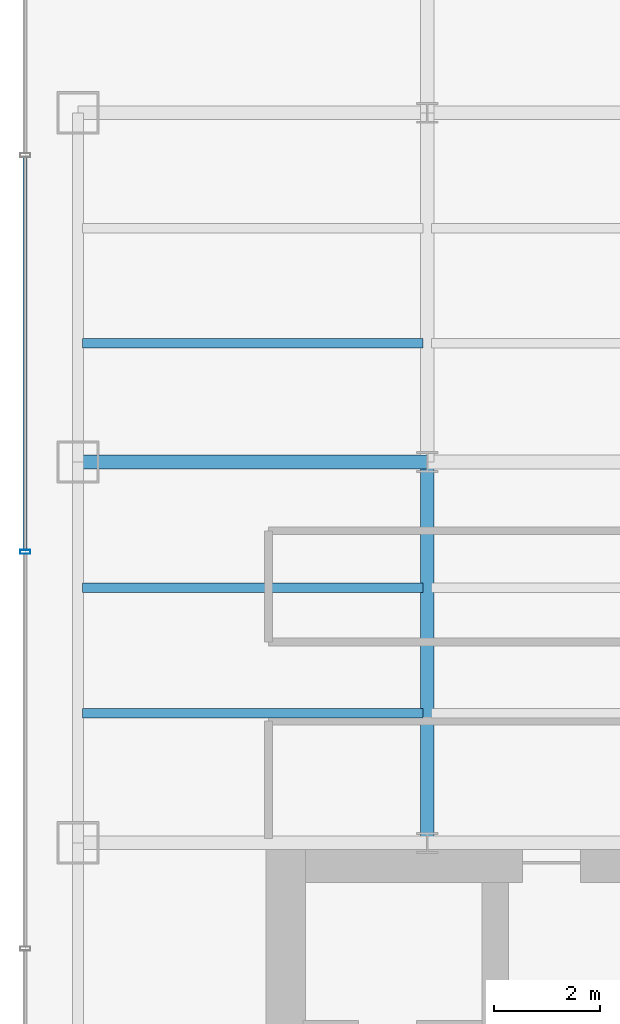
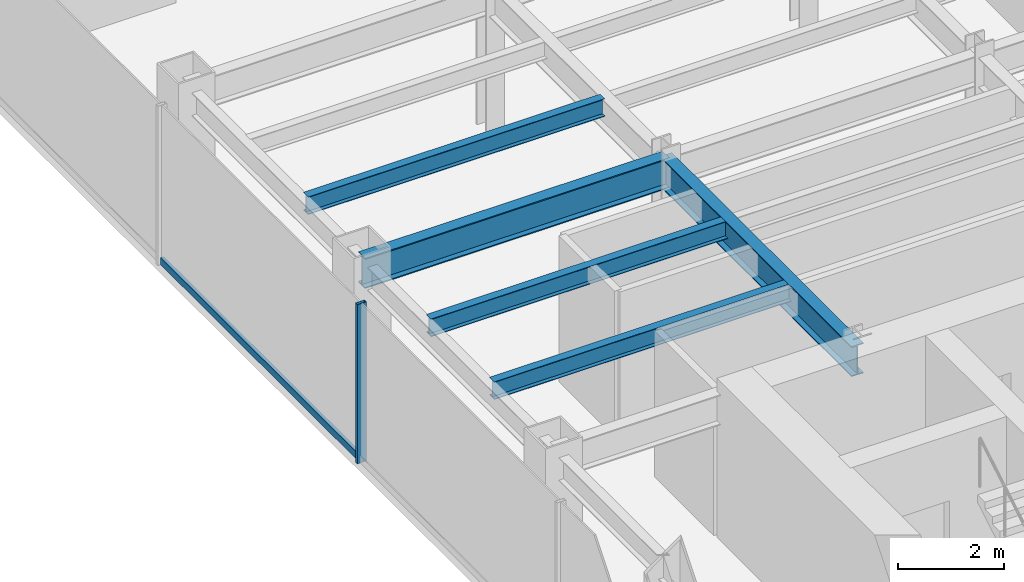
# One storey, part 4 of 26: 5 beams, 2 members, 1 element without a shape of its own.
"""IFC4 building model written with IfcOpenShell, lengths in metres."""

from ifc_helpers import new_model, si_unit, derived_unit, direction, frame, origin, origin_2d, place, context, subcontext, project, spatial, hollow_rectangle, i_section, extrude, source, transform, mapped, material, material_profile, profile_set, type_object, element, aggregate, save


model = new_model("IFC4")

# Units and contexts
model_context = context("Model", 3, precision=1e-05, world=origin(), true_north=direction((0.0, 1.0)))
body_context = subcontext(model_context, "Body", "Model", "MODEL_VIEW")
ifc_project = project(units=[si_unit("LENGTHUNIT", "METRE"), si_unit("AREAUNIT", "SQUARE_METRE"), si_unit("VOLUMEUNIT", "CUBIC_METRE"), si_unit("PLANEANGLEUNIT", "RADIAN"), si_unit("MASSUNIT", "GRAM", prefix="KILO"), derived_unit("THERMALTRANSMITTANCEUNIT", [(si_unit("POWERUNIT", "WATT"), 1), (si_unit("LENGTHUNIT", "METRE"), -2), (si_unit("THERMODYNAMICTEMPERATUREUNIT", "KELVIN"), -1)])], contexts=[model_context])

# Site, building, storey
site_placement = place(None, origin())
site = spatial("IfcSite", under=ifc_project, at=site_placement, CompositionType="ELEMENT")
building_placement = place(site_placement, origin())
building = spatial("IfcBuilding", under=site, at=building_placement, Name="Skarnbrae Concourse Arena and Tower", CompositionType="ELEMENT")
storey_placement = place(building_placement, frame((0.0, 0.0, 132.449951171875)))
storey = spatial("IfcBuildingStorey", under=building, at=storey_placement, Name="L33", CompositionType="ELEMENT", Elevation=132.449951171875)

# Beams
ifc_material_1 = material(Name="Steel CSA G40.21 350W", Category="steel")
ifc_material_profile_1 = material_profile(ifc_material_1, i_section(OverallWidth=0.256103515625, OverallDepth=0.693115234375, WebThickness=0.014404296875, FlangeThickness=0.023681640625, at=origin_2d()), Name="W690X170")
ifc_profile_set_1 = profile_set([ifc_material_profile_1], Name="Steel CSA G40.21 350W")
beam_type_1 = type_object("IfcBeamType", Name="BM-GIRD-W690X170", PredefinedType="BEAM", material=ifc_profile_set_1)
shared_shape_1 = source(origin(), body_context, "Body", "SweptSolid", [
    extrude(i_section(OverallWidth=0.256103515625, OverallDepth=0.693115234375, WebThickness=0.014404296875, FlangeThickness=0.023681640625, at=origin_2d()), origin(), (0.0, 0.0, 1.0), 6.60009765625),
])
beam_1_placement = place(storey_placement, frame((1.0, 21.199951171875, 3.003662109375), z_axis=(1.0, 0.0, 0.0), x_axis=(0.0, 1.0, 0.0)))
element("IfcBeam", 1, at=beam_1_placement, inside=storey, type_object=beam_type_1, Name="L33 Primary E-W girder Y21.2-1", PredefinedType="BEAM", context=body_context, shape_type="MappedRepresentation", body=[
    mapped(shared_shape_1, transform((0.0, 0.0, 0.0))),
])
shared_shape_2 = source(origin(), body_context, "Body", "SweptSolid", [
    extrude(i_section(OverallWidth=0.256103515625, OverallDepth=0.693115234375, WebThickness=0.014404296875, FlangeThickness=0.023681640625, at=origin_2d()), origin(), (0.0, 0.0, 1.0), 7.199951171875),
])
beam_2_placement = place(storey_placement, frame((7.60009765625, 14.0, 3.003662109375), z_axis=(0.0, 1.0, 0.0), x_axis=(-1.0, 0.0, 0.0)))
element("IfcBeam", 2, at=beam_2_placement, inside=storey, type_object=beam_type_1, Name="L33 Primary N-S girder X7.6-1", PredefinedType="BEAM", context=body_context, shape_type="MappedRepresentation", body=[
    mapped(shared_shape_2, transform((0.0, 0.0, 0.0))),
])
ifc_material_profile_2 = material_profile(ifc_material_1, i_section(OverallWidth=0.177978515625, OverallDepth=0.406982421875, WebThickness=0.0078125, FlangeThickness=0.0126953125, at=origin_2d()), Name="W410X60")
ifc_profile_set_2 = profile_set([ifc_material_profile_2], Name="Steel CSA G40.21 350W")
beam_type_2 = type_object("IfcBeamType", Name="BM-JOIST-W410X60", PredefinedType="JOIST", material=ifc_profile_set_2)
shared_shape_3 = source(origin(), body_context, "Body", "SweptSolid", [
    extrude(i_section(OverallWidth=0.177978515625, OverallDepth=0.406982421875, WebThickness=0.0078125, FlangeThickness=0.0126953125, at=origin_2d()), origin(), (0.0, 0.0, 1.0), 6.43994140625),
])
for number, where, z_axis, x_axis, name in (
    (3, (1.080078125, 16.447998046875, 3.146484375), (1.0, 0.0, 0.0), (0.0, 1.0, 0.0), "L33 Secondary floor joist 1.1.1"),
    (4, (1.080078125, 18.823974609375, 3.146484375), (1.0, 0.0, 0.0), (0.0, 1.0, 0.0), "L33 Secondary floor joist 1.2.1"),
    (5, (1.080078125, 23.444091796875, 3.146484375), (1.0, 0.0, 0.0), (0.0, 1.0, 0.0), "L33 Secondary floor joist 2.1.1"),
):
    element("IfcBeam", number, at=place(storey_placement, frame(where, z_axis=z_axis, x_axis=x_axis)), inside=storey, type_object=beam_type_2, Name=name, PredefinedType="JOIST", context=body_context, shape_type="MappedRepresentation", body=[
        mapped(shared_shape_3, transform((0.0, 0.0, 0.0))),
    ])

# Curtain wall, members
ifc_material_2 = material(Name="Bronze anodised aluminium 6063-T6", Category="aluminium")
curtain_wall_type = type_object("IfcCurtainWallType", Name="CW-SYS-04-MIDZONE", PredefinedType="USERDEFINED", material=ifc_material_2)
curtain_wall_placement = place(storey_placement, origin())
curtain_wall = element("IfcCurtainWall", 6, at=curtain_wall_placement, inside=storey, type_object=curtain_wall_type, Name="L33 Unitised curtain wall CW-L33-E19", ObjectType="UNITISED CURTAIN WALL", PredefinedType="USERDEFINED")
ifc_material_profile_3 = material_profile(ifc_material_2, hollow_rectangle(XDim=0.074951171875, YDim=0.195068359375, WallThickness=0.00439453125, at=origin_2d()), Name="ALU-MULL-75X195")
ifc_profile_set_3 = profile_set([ifc_material_profile_3], Name="Bronze anodised aluminium 6063-T6")
member_type_1 = type_object("IfcMemberType", Name="CWM-CW-04", PredefinedType="MULLION", material=ifc_profile_set_3)
shared_shape_4 = source(origin(), body_context, "Body", "SweptSolid", [
    extrude(hollow_rectangle(XDim=0.074951171875, YDim=0.195068359375, WallThickness=0.00439453125, at=origin_2d()), origin(), (0.0, 0.0, 1.0), 3.650146484375),
])
member_1_placement = place(storey_placement, frame((0.0, 19.5, 0.0), z_axis=(0.0, 0.0, 1.0), x_axis=(0.0, -1.0, 0.0)))
member_1 = element("IfcMember", 7, at=member_1_placement, type_object=member_type_1, Name="CW-L33-E19 Mullion 3", PredefinedType="MULLION", context=body_context, shape_type="MappedRepresentation", body=[
    mapped(shared_shape_4, transform((0.0, 0.0, 0.0))),
])
ifc_material_profile_4 = material_profile(ifc_material_2, hollow_rectangle(XDim=0.074951171875, YDim=0.159912109375, WallThickness=0.00439453125, at=origin_2d()), Name="ALU-TRAN-75X160")
ifc_profile_set_4 = profile_set([ifc_material_profile_4], Name="Bronze anodised aluminium 6063-T6")
member_type_2 = type_object("IfcMemberType", Name="CWT-CW-04", PredefinedType="USERDEFINED", material=ifc_profile_set_4)
shared_shape_5 = source(origin(), body_context, "Body", "SweptSolid", [
    extrude(hollow_rectangle(XDim=0.074951171875, YDim=0.159912109375, WallThickness=0.00439453125, at=origin_2d()), origin(), (0.0, 0.0, 1.0), 7.4248046875),
])
member_2_placement = place(storey_placement, frame((0.0, 26.96240234375, 0.080078125), z_axis=(0.0, -1.0, 0.0), x_axis=(1.0, 0.0, 0.0)))
member_2 = element("IfcMember", 8, at=member_2_placement, type_object=member_type_2, Name="CW-L33-E19 Transom 2", ObjectType="TRANSOM", PredefinedType="USERDEFINED", context=body_context, shape_type="MappedRepresentation", body=[
    mapped(shared_shape_5, transform((0.0, 0.0, 0.0))),
])
aggregate(curtain_wall, [member_1, member_2])

save(model, "model.ifc")
